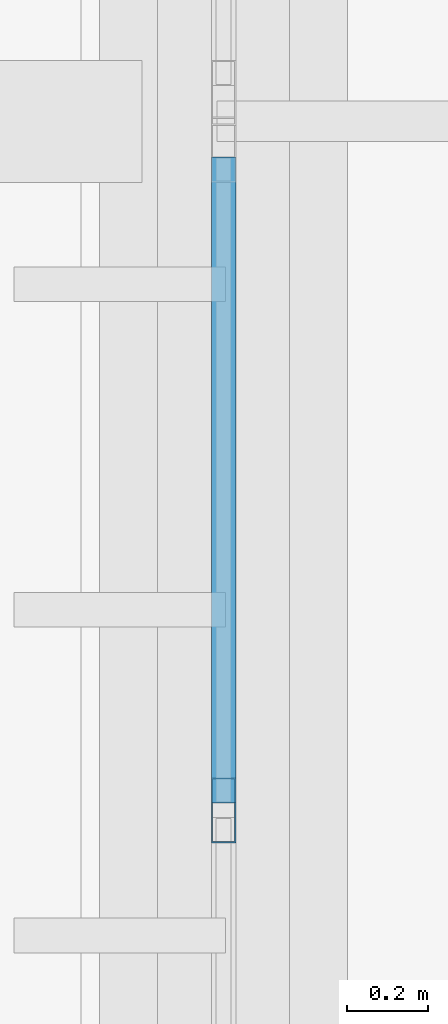
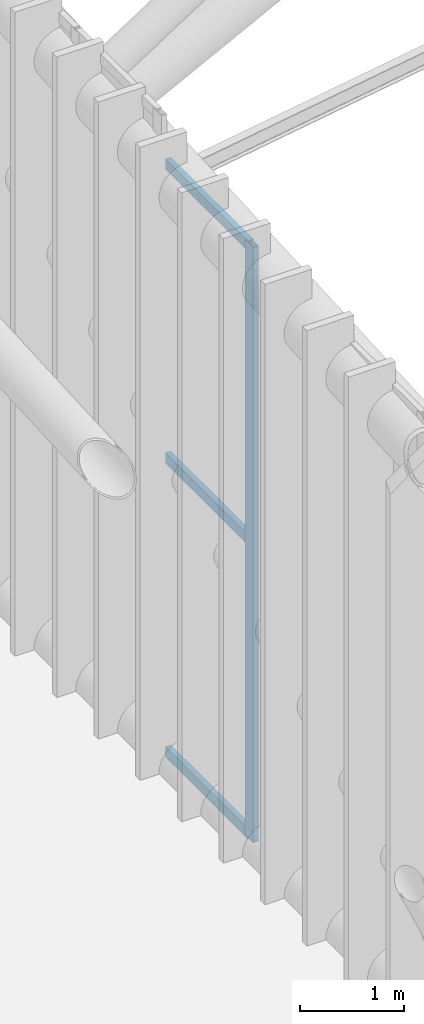
# One storey, part 62 of 397: 4 members, 1 element without a shape of its own.
"""IFC4 building model written with IfcOpenShell, lengths in metres."""

from ifc_helpers import new_model, si_unit, direction, frame, origin, origin_2d, place, context, subcontext, project, spatial, hollow_rectangle, extrude, material, material_profile, profile_set, type_object, element, aggregate, save


model = new_model("IFC4")

# Units and contexts
model_context = context("Model", 3, precision=1e-05, world=origin(), true_north=direction((0.0, 1.0)))
body_context = subcontext(model_context, "Body", "Model", "MODEL_VIEW")
ifc_project = project(units=[si_unit("LENGTHUNIT", "METRE"), si_unit("AREAUNIT", "SQUARE_METRE"), si_unit("VOLUMEUNIT", "CUBIC_METRE"), si_unit("PLANEANGLEUNIT", "RADIAN"), si_unit("MASSUNIT", "GRAM", prefix="KILO")], contexts=[model_context])

# Site, building, storey
site_placement = place(None, origin())
site = spatial("IfcSite", under=ifc_project, at=site_placement, CompositionType="ELEMENT")
building_placement = place(site_placement, origin())
building = spatial("IfcBuilding", under=site, at=building_placement, Name="Qandorah Velis Arena", CompositionType="ELEMENT")
storey_placement = place(building_placement, frame((0.0, 0.0, 27.5)))
storey = spatial("IfcBuildingStorey", under=building, at=storey_placement, Name="RF", CompositionType="ELEMENT", Elevation=27.5)

# Curtain wall, members
ifc_material_1 = material(Name="Solar-control low-E double glazing", Category="glass")
curtain_wall_type = type_object("IfcCurtainWallType", Name="ARC-CW-SYS03", PredefinedType="USERDEFINED", material=ifc_material_1)
curtain_wall_placement = place(storey_placement, origin())
curtain_wall = element("IfcCurtainWall", 1, at=curtain_wall_placement, inside=storey, type_object=curtain_wall_type, Name="Unitised curtain wall CROWN-1-03S1", ObjectType="UNITISED CURTAIN WALL", PredefinedType="USERDEFINED")
ifc_material_2 = material(Name="Champagne-bronze anodized aluminium 6063-T6", Category="aluminium")
ifc_material_profile_1 = material_profile(ifc_material_2, hollow_rectangle(XDim=0.06005859375, YDim=0.159912109375, WallThickness=0.00341796875, at=origin_2d()), Name="ALU MULLION 60x160")
ifc_profile_set_1 = profile_set([ifc_material_profile_1], Name="Champagne-bronze anodized aluminium 6063-T6")
member_type_1 = type_object("IfcMemberType", Name="ARC-CWM-160", PredefinedType="MULLION", material=ifc_profile_set_1)
member_1_placement = place(storey_placement, frame((14.39990234375, 48.70751953125, -0.014892578125), z_axis=(0.0, 0.0, 1.0), x_axis=(-1.0, 0.0, 0.0)))
member_1 = element("IfcMember", 2, at=member_1_placement, type_object=member_type_1, Name="CW03 mullion 4", PredefinedType="MULLION", context=body_context, shape_type="SweptSolid", body=[
    extrude(hollow_rectangle(XDim=0.06005859375, YDim=0.159912109375, WallThickness=0.00341796875, at=origin_2d()), origin(), (0.0, 0.0, 1.0), 6.9765625),
])
ifc_material_profile_2 = material_profile(ifc_material_2, hollow_rectangle(XDim=0.06005859375, YDim=0.1201171875, WallThickness=0.0029296875, at=origin_2d()), Name="ALU TRANSOM 60x120")
ifc_profile_set_2 = profile_set([ifc_material_profile_2], Name="Champagne-bronze anodized aluminium 6063-T6")
member_type_2 = type_object("IfcMemberType", Name="ARC-CWT-120", PredefinedType="USERDEFINED", material=ifc_profile_set_2)
member_2_placement = place(storey_placement, frame((14.39990234375, 48.7255859375, 0.030029296875), z_axis=(0.0, 1.0, 0.0), x_axis=(-1.0, 0.0, 0.0)))
member_2 = element("IfcMember", 3, at=member_2_placement, type_object=member_type_2, Name="CW03 transom 4.1", ObjectType="TRANSOM", PredefinedType="USERDEFINED", context=body_context, shape_type="SweptSolid", body=[
    extrude(hollow_rectangle(XDim=0.06005859375, YDim=0.1201171875, WallThickness=0.0029296875, at=origin_2d()), origin(), (0.0, 0.0, 1.0), 1.58642578125),
])
member_3_placement = place(storey_placement, frame((14.39990234375, 48.7255859375, 3.473388671875), z_axis=(0.0, 1.0, 0.0), x_axis=(-1.0, 0.0, 0.0)))
member_3 = element("IfcMember", 4, at=member_3_placement, type_object=member_type_2, Name="CW03 transom 4.2", ObjectType="TRANSOM", PredefinedType="USERDEFINED", context=body_context, shape_type="SweptSolid", body=[
    extrude(hollow_rectangle(XDim=0.06005859375, YDim=0.1201171875, WallThickness=0.0029296875, at=origin_2d()), origin(), (0.0, 0.0, 1.0), 1.58642578125),
])
member_4_placement = place(storey_placement, frame((14.39990234375, 48.7255859375, 6.916748046875), z_axis=(0.0, 1.0, 0.0), x_axis=(-1.0, 0.0, 0.0)))
member_4 = element("IfcMember", 5, at=member_4_placement, type_object=member_type_2, Name="CW03 transom 4.3", ObjectType="TRANSOM", PredefinedType="USERDEFINED", context=body_context, shape_type="SweptSolid", body=[
    extrude(hollow_rectangle(XDim=0.06005859375, YDim=0.1201171875, WallThickness=0.0029296875, at=origin_2d()), origin(), (0.0, 0.0, 1.0), 1.58642578125),
])
aggregate(curtain_wall, [member_1, member_2, member_3, member_4])

save(model, "model.ifc")
